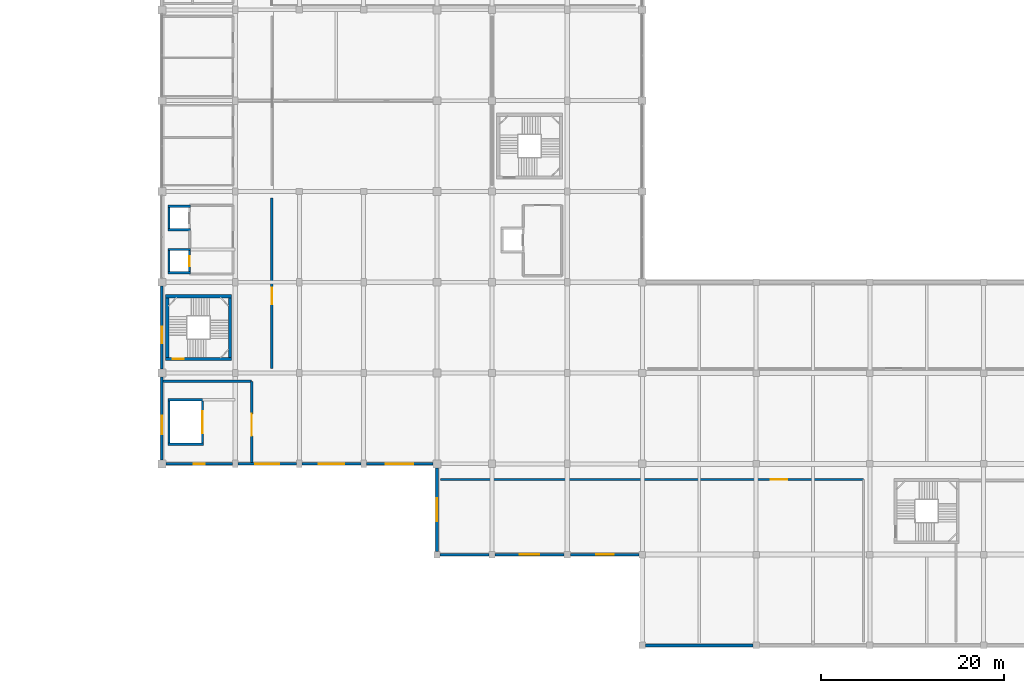
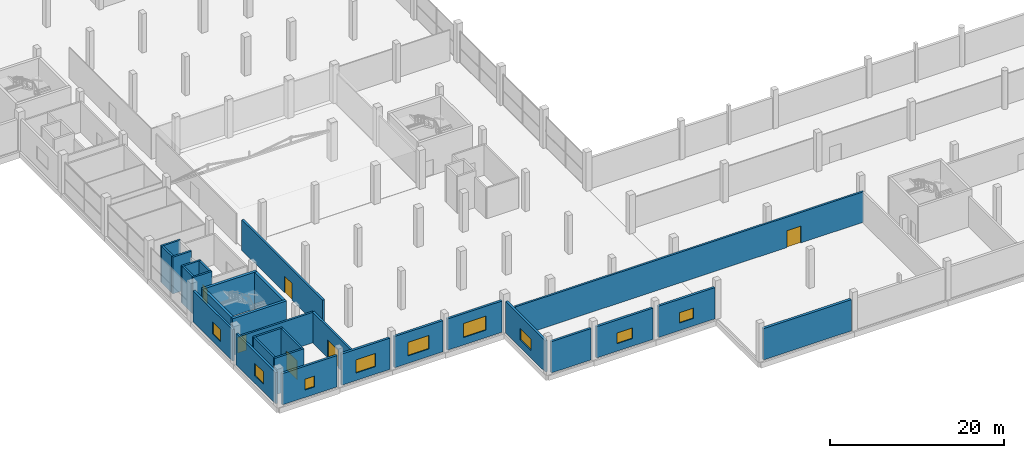
# One storey, part 43 of 72: 30 walls, 9 windows, 6 doors, 15 openings.
"""IFC4 building model written with IfcOpenShell, lengths in metres."""

from ifc_helpers import new_model, si_unit, direction, frame, frame_2d, origin, place, context, subcontext, project, spatial, rectangle, extrude, material, layer, layer_set, type_object, element, fill, save


model = new_model("IFC4")

# Units and contexts
model_context = context("Model", 3, precision=1e-05, world=origin(), true_north=direction((0.0, 1.0)))
body_context = subcontext(model_context, "Body", "Model", "MODEL_VIEW")
ifc_project = project(units=[si_unit("LENGTHUNIT", "METRE"), si_unit("AREAUNIT", "SQUARE_METRE"), si_unit("VOLUMEUNIT", "CUBIC_METRE"), si_unit("PLANEANGLEUNIT", "RADIAN"), si_unit("MASSUNIT", "GRAM", prefix="KILO")], contexts=[model_context])

# Site, building, storey
site_placement = place(None, origin())
site = spatial("IfcSite", under=ifc_project, at=site_placement, CompositionType="ELEMENT")
building_placement = place(site_placement, origin())
building = spatial("IfcBuilding", under=site, at=building_placement, Name="Sillaruma Civic Art Gallery", CompositionType="ELEMENT")
storey_placement = place(building_placement, frame((0.0, 0.0, 10.8798828125)))
storey = spatial("IfcBuildingStorey", under=building, at=storey_placement, Name="L02", CompositionType="ELEMENT", Elevation=10.8798828125)

# Wall, opening, door
ifc_material_1 = material(Name="Concrete H40 (40 MPa)", Category="concrete")
ifc_layer_1 = layer(ifc_material_1, 0.35009765625, Name="Concrete H40 (40 MPa)")
ifc_layer_set_1 = layer_set([ifc_layer_1], Name="Concrete H40 (40 MPa)")
wall_type_1 = type_object("IfcWallType", Name="WAL-CORE-350", PredefinedType="SHEAR", material=ifc_layer_set_1)
wall_1_placement = place(storey_placement, frame((62.409912109375, 31.235107421875, 0.0), z_axis=(0.0, 0.0, 1.0), x_axis=(1.0, 0.0, 0.0)))
wall_1 = element("IfcWall", 1, at=wall_1_placement, inside=storey, type_object=wall_type_1, Name="Stair Core Shear Wall W-CORE-350 (ST-03:L02:S)", PredefinedType="SHEAR", context=body_context, shape_type="SweptSolid", body=[
    extrude(rectangle(XDim=7.18017578125, YDim=0.35009765625, at=frame_2d((3.590087890625, 0.0))), origin(), (0.0, 0.0, 1.0), 5.16015625),
])
opening_1_placement = place(wall_1_placement, frame((0.77001953125, 0.0, 0.0)))
opening_1 = element("IfcOpeningElement", 2, at=opening_1_placement, cuts=wall_1, Name="Opening D-STAIR", PredefinedType="OPENING", context=body_context, shape_type="SweptSolid", body=[
    extrude(rectangle(XDim=1.199951171875, YDim=2.199951171875, at=frame_2d((0.60009765625, 1.10009765625))), frame((0.0, 0.18505859375, 0.0), z_axis=(0.0, -1.0, 0.0), x_axis=(1.0, 0.0, 0.0)), (0.0, 0.0, 1.0), 0.3701171875),
])
ifc_material_2 = material(Name="Galvanised Steel ASTM A653 Gr.50", Category="steel")
door_type_1 = type_object("IfcDoorType", Name="DOR-STAIR-120", OperationType="NOTDEFINED", PredefinedType="DOOR", material=ifc_material_2)
door_1_placement = place(opening_1_placement, origin())
door_1 = element("IfcDoor", 3, at=door_1_placement, inside=storey, type_object=door_type_1, Name="Protected Stair Fire Door (ST-03:L02)", OperationType="SINGLE_SWING_RIGHT", OverallHeight=2.199951171875, OverallWidth=1.199951171875, PredefinedType="DOOR", context=body_context, shape_type="SweptSolid", body=[
    extrude(rectangle(XDim=1.199951171875, YDim=2.199951171875, at=frame_2d((0.60009765625, 1.10009765625))), frame((0.0, 0.02490234375, 0.0), z_axis=(0.0, -1.0, 0.0), x_axis=(1.0, 0.0, 0.0)), (0.0, 0.0, 1.0), 0.050048828125),
])
fill(opening_1, door_1)

# Walls
wall_2_placement = place(storey_placement, frame((62.409912109375, 38.06494140625, 0.0), z_axis=(0.0, 0.0, 1.0), x_axis=(1.0, 0.0, 0.0)))
element("IfcWall", 4, at=wall_2_placement, inside=storey, type_object=wall_type_1, Name="Stair Core Shear Wall W-CORE-350 (ST-03:L02:N)", PredefinedType="SHEAR", context=body_context, shape_type="SweptSolid", body=[
    extrude(rectangle(XDim=7.18017578125, YDim=0.35009765625, at=frame_2d((3.590087890625, 0.0))), origin(), (0.0, 0.0, 1.0), 5.16015625),
])
for number, where, z_axis, x_axis, name in (
    (5, (62.5849609375, 31.409912109375, 0.0), (0.0, 0.0, 1.0), (0.0, 1.0, 0.0), "Stair Core Shear Wall W-CORE-350 (ST-03:L02:W)"),
    (6, (69.4150390625, 31.409912109375, 0.0), (0.0, 0.0, 1.0), (0.0, 1.0, 0.0), "Stair Core Shear Wall W-CORE-350 (ST-03:L02:E)"),
):
    element("IfcWall", number, at=place(storey_placement, frame(where, z_axis=z_axis, x_axis=x_axis)), inside=storey, type_object=wall_type_1, Name=name, PredefinedType="SHEAR", context=body_context, shape_type="SweptSolid", body=[
        extrude(rectangle(XDim=6.47998046875, YDim=0.35009765625, at=frame_2d((3.239990234375, 0.0))), origin(), (0.0, 0.0, 1.0), 5.16015625),
    ])

# Wall, opening, window
ifc_material_3 = material(Name="Concrete H35 (35 MPa)", Category="concrete")
ifc_layer_2 = layer(ifc_material_3, 0.159912109375, Name="Concrete backup", Category="concrete")
ifc_material_4 = material(Name="Mineral Wool Thermal Insulation", Category="insulation")
ifc_layer_3 = layer(ifc_material_4, 0.090087890625, Name="Thermal insulation", Category="insulation")
ifc_material_5 = material(Name="Anodised Zinc-Aluminium Alloy", Category="aluminium")
ifc_layer_4 = layer(ifc_material_5, 0.030029296875, Name="Rainscreen finish", Category="aluminium")
ifc_layer_set_2 = layer_set([ifc_layer_2, ifc_layer_3, ifc_layer_4], Name="W-EXT-280")
wall_type_2 = type_object("IfcWallType", Name="WAL-EXT-280", PredefinedType="SOLIDWALL", material=ifc_layer_set_2)
wall_3_placement = place(storey_placement, frame((62.0, 20.22509765625, 0.0), z_axis=(0.0, 0.0, 1.0), x_axis=(0.0, 1.0, 0.0)))
wall_3 = element("IfcWall", 7, at=wall_3_placement, inside=storey, type_object=wall_type_2, Name="Exterior Wall W-EXT-280 (EW-L02-SPW-1)", PredefinedType="SOLIDWALL", context=body_context, shape_type="SweptSolid", body=[
    extrude(rectangle(XDim=9.0498046875, YDim=0.280029296875, at=frame_2d((4.52490234375, 0.0))), origin(), (0.0, 0.0, 1.0), 4.380126953125),
])
opening_2_placement = place(wall_3_placement, frame((2.800048828125, 0.0, 1.050048828125)))
opening_2 = element("IfcOpeningElement", 8, at=opening_2_placement, cuts=wall_3, Name="Opening WN-03", PredefinedType="OPENING", context=body_context, shape_type="SweptSolid", body=[
    extrude(rectangle(XDim=2.0, YDim=1.75, at=frame_2d((1.0, 0.875))), frame((0.0, 0.14990234375, 0.0), z_axis=(0.0, -1.0, 0.0), x_axis=(1.0, 0.0, 0.0)), (0.0, 0.0, 1.0), 0.300048828125),
])
ifc_material_6 = material(Name="Thermally Broken Extruded Aluminium 6063-T6", Category="aluminium")
window_type_1 = type_object("IfcWindowType", Name="WIN-W03", PartitioningType="SINGLE_PANEL", PredefinedType="WINDOW", material=ifc_material_6)
window_1_placement = place(opening_2_placement, origin())
window_1 = element("IfcWindow", 9, at=window_1_placement, inside=storey, type_object=window_type_1, Name="Window WN-03 (EW-L02-SPW-1-1)", OverallHeight=1.75, OverallWidth=2.0, PartitioningType="SINGLE_PANEL", PredefinedType="WINDOW", context=body_context, shape_type="SweptSolid", body=[
    extrude(rectangle(XDim=2.0, YDim=1.75, at=frame_2d((1.0, 0.875))), frame((0.0, 0.030029296875, 0.0), z_axis=(0.0, -1.0, 0.0), x_axis=(1.0, 0.0, 0.0)), (0.0, 0.0, 1.0), 0.06005859375),
])
fill(opening_2, window_1)

wall_4_placement = place(storey_placement, frame((62.0, 30.125, 0.0), z_axis=(0.0, 0.0, 1.0), x_axis=(0.0, 1.0, 0.0)))
wall_4 = element("IfcWall", 10, at=wall_4_placement, inside=storey, type_object=wall_type_2, Name="Exterior Wall W-EXT-280 (EW-L02-SPW-2)", PredefinedType="SOLIDWALL", context=body_context, shape_type="SweptSolid", body=[
    extrude(rectangle(XDim=9.050048828125, YDim=0.280029296875, at=frame_2d((4.52490234375, 0.0))), origin(), (0.0, 0.0, 1.0), 4.380126953125),
])
opening_3_placement = place(wall_4_placement, frame((2.800048828125, 0.0, 1.050048828125)))
opening_3 = element("IfcOpeningElement", 11, at=opening_3_placement, cuts=wall_4, Name="Opening WN-04", PredefinedType="OPENING", context=body_context, shape_type="SweptSolid", body=[
    extrude(rectangle(XDim=1.800048828125, YDim=1.699951171875, at=frame_2d((0.89990234375, 0.85009765625))), frame((0.0, 0.14990234375, 0.0), z_axis=(0.0, -1.0, 0.0), x_axis=(1.0, 0.0, 0.0)), (0.0, 0.0, 1.0), 0.300048828125),
])
window_type_2 = type_object("IfcWindowType", Name="WIN-W04", PartitioningType="SINGLE_PANEL", PredefinedType="WINDOW", material=ifc_material_6)
window_2_placement = place(opening_3_placement, origin())
window_2 = element("IfcWindow", 12, at=window_2_placement, inside=storey, type_object=window_type_2, Name="Window WN-04 (EW-L02-SPW-2-1)", OverallHeight=1.699951171875, OverallWidth=1.800048828125, PartitioningType="SINGLE_PANEL", PredefinedType="WINDOW", context=body_context, shape_type="SweptSolid", body=[
    extrude(rectangle(XDim=1.800048828125, YDim=1.699951171875, at=frame_2d((0.89990234375, 0.85009765625))), frame((0.0, 0.030029296875, 0.0), z_axis=(0.0, -1.0, 0.0), x_axis=(1.0, 0.0, 0.0)), (0.0, 0.0, 1.0), 0.06005859375),
])
fill(opening_3, window_2)

ifc_material_7 = material(Name="Precast Concrete H35 (35 MPa)", Category="concrete")
ifc_layer_5 = layer(ifc_material_7, 0.179931640625, Name="Precast backup", Category="concrete")
ifc_layer_6 = layer(ifc_material_4, 0.090087890625, Name="Thermal insulation", Category="insulation")
ifc_material_8 = material(Name="Comanche Granitic Ashlar Stone", Category="masonry")
ifc_layer_7 = layer(ifc_material_8, 0.030029296875, Name="Rainscreen cladding", Category="masonry")
ifc_layer_set_3 = layer_set([ifc_layer_5, ifc_layer_6, ifc_layer_7], Name="W-EXT-300")
wall_type_3 = type_object("IfcWallType", Name="WAL-EXT-300", PredefinedType="SOLIDWALL", material=ifc_layer_set_3)
wall_5_placement = place(storey_placement, frame((62.425048828125, 19.800048828125, 0.0), z_axis=(0.0, 0.0, 1.0), x_axis=(1.0, 0.0, 0.0)))
wall_5 = element("IfcWall", 13, at=wall_5_placement, inside=storey, type_object=wall_type_3, Name="Exterior Wall W-EXT-300 (EW-L02-PSW-FG)", PredefinedType="SOLIDWALL", context=body_context, shape_type="SweptSolid", body=[
    extrude(rectangle(XDim=7.27490234375, YDim=0.300048828125, at=frame_2d((3.637451171875, 0.0))), origin(), (0.0, 0.0, 1.0), 4.380126953125),
])
opening_4_placement = place(wall_5_placement, frame((3.0380859375, 0.0, 1.050048828125)))
opening_4 = element("IfcOpeningElement", 14, at=opening_4_placement, cuts=wall_5, Name="Opening WN-07", PredefinedType="OPENING", context=body_context, shape_type="SweptSolid", body=[
    extrude(rectangle(XDim=1.199951171875, YDim=1.5, at=frame_2d((0.60009765625, 0.75))), frame((0.0, 0.159912109375, 0.0), z_axis=(0.0, -1.0, 0.0), x_axis=(1.0, 0.0, 0.0)), (0.0, 0.0, 1.0), 0.320068359375),
])
window_type_3 = type_object("IfcWindowType", Name="WIN-W07", PartitioningType="SINGLE_PANEL", PredefinedType="WINDOW", material=ifc_material_6)
window_3_placement = place(opening_4_placement, origin())
window_3 = element("IfcWindow", 15, at=window_3_placement, inside=storey, type_object=window_type_3, Name="Window WN-07 (EW-L02-PSW-FG-1)", OverallHeight=1.5, OverallWidth=1.199951171875, PartitioningType="SINGLE_PANEL", PredefinedType="WINDOW", context=body_context, shape_type="SweptSolid", body=[
    extrude(rectangle(XDim=1.199951171875, YDim=1.5, at=frame_2d((0.60009765625, 0.75))), frame((0.0, 0.030029296875, 0.0), z_axis=(0.0, -1.0, 0.0), x_axis=(1.0, 0.0, 0.0)), (0.0, 0.0, 1.0), 0.06005859375),
])
fill(opening_4, window_3)

wall_6_placement = place(storey_placement, frame((70.300048828125, 19.800048828125, 0.0), z_axis=(0.0, 0.0, 1.0), x_axis=(1.0, 0.0, 0.0)))
wall_6 = element("IfcWall", 16, at=wall_6_placement, inside=storey, type_object=wall_type_3, Name="Exterior Wall W-EXT-300 (EW-L02-PSW-GH)", PredefinedType="SOLIDWALL", context=body_context, shape_type="SweptSolid", body=[
    extrude(rectangle(XDim=6.39990234375, YDim=0.300048828125, at=frame_2d((3.199951171875, 0.0))), origin(), (0.0, 0.0, 1.0), 4.380126953125),
])
opening_5_placement = place(wall_6_placement, frame((1.89990234375, 0.0, 1.050048828125)))
opening_5 = element("IfcOpeningElement", 17, at=opening_5_placement, cuts=wall_6, Name="Opening WN-08", PredefinedType="OPENING", context=body_context, shape_type="SweptSolid", body=[
    extrude(rectangle(XDim=2.60009765625, YDim=1.85009765625, at=frame_2d((1.300048828125, 0.925048828125))), frame((0.0, 0.159912109375, 0.0), z_axis=(0.0, -1.0, 0.0), x_axis=(1.0, 0.0, 0.0)), (0.0, 0.0, 1.0), 0.320068359375),
])
window_type_4 = type_object("IfcWindowType", Name="WIN-W08", PartitioningType="SINGLE_PANEL", PredefinedType="WINDOW", material=ifc_material_6)
window_4_placement = place(opening_5_placement, origin())
window_4 = element("IfcWindow", 18, at=window_4_placement, inside=storey, type_object=window_type_4, Name="Window WN-08 (EW-L02-PSW-GH-1)", OverallHeight=1.85009765625, OverallWidth=2.60009765625, PartitioningType="SINGLE_PANEL", PredefinedType="WINDOW", context=body_context, shape_type="SweptSolid", body=[
    extrude(rectangle(XDim=2.60009765625, YDim=1.85009765625, at=frame_2d((1.300048828125, 0.925048828125))), frame((0.0, 0.030029296875, 0.0), z_axis=(0.0, -1.0, 0.0), x_axis=(1.0, 0.0, 0.0)), (0.0, 0.0, 1.0), 0.06005859375),
])
fill(opening_5, window_4)

wall_7_placement = place(storey_placement, frame((77.300048828125, 19.800048828125, 0.0), z_axis=(0.0, 0.0, 1.0), x_axis=(1.0, 0.0, 0.0)))
wall_7 = element("IfcWall", 19, at=wall_7_placement, inside=storey, type_object=wall_type_3, Name="Exterior Wall W-EXT-300 (EW-L02-PSW-HJ)", PredefinedType="SOLIDWALL", context=body_context, shape_type="SweptSolid", body=[
    extrude(rectangle(XDim=6.39990234375, YDim=0.300048828125, at=frame_2d((3.199951171875, 0.0))), origin(), (0.0, 0.0, 1.0), 4.380126953125),
])
opening_6_placement = place(wall_7_placement, frame((1.800048828125, 0.0, 1.050048828125)))
opening_6 = element("IfcOpeningElement", 20, at=opening_6_placement, cuts=wall_7, Name="Opening WN-09", PredefinedType="OPENING", context=body_context, shape_type="SweptSolid", body=[
    extrude(rectangle(XDim=2.800048828125, YDim=1.89990234375, at=frame_2d((1.39990234375, 0.949951171875))), frame((0.0, 0.159912109375, 0.0), z_axis=(0.0, -1.0, 0.0), x_axis=(1.0, 0.0, 0.0)), (0.0, 0.0, 1.0), 0.320068359375),
])
window_type_5 = type_object("IfcWindowType", Name="WIN-W09", PartitioningType="SINGLE_PANEL", PredefinedType="WINDOW", material=ifc_material_6)
window_5_placement = place(opening_6_placement, origin())
window_5 = element("IfcWindow", 21, at=window_5_placement, inside=storey, type_object=window_type_5, Name="Window WN-09 (EW-L02-PSW-HJ-1)", OverallHeight=1.89990234375, OverallWidth=2.800048828125, PartitioningType="SINGLE_PANEL", PredefinedType="WINDOW", context=body_context, shape_type="SweptSolid", body=[
    extrude(rectangle(XDim=2.800048828125, YDim=1.89990234375, at=frame_2d((1.39990234375, 0.949951171875))), frame((0.0, 0.030029296875, 0.0), z_axis=(0.0, -1.0, 0.0), x_axis=(1.0, 0.0, 0.0)), (0.0, 0.0, 1.0), 0.06005859375),
])
fill(opening_6, window_5)

wall_8_placement = place(storey_placement, frame((84.300048828125, 19.800048828125, 0.0), z_axis=(0.0, 0.0, 1.0), x_axis=(1.0, 0.0, 0.0)))
wall_8 = element("IfcWall", 22, at=wall_8_placement, inside=storey, type_object=wall_type_3, Name="Exterior Wall W-EXT-300 (EW-L02-PSW-JK)", PredefinedType="SOLIDWALL", context=body_context, shape_type="SweptSolid", body=[
    extrude(rectangle(XDim=7.27490234375, YDim=0.300048828125, at=frame_2d((3.637451171875, 0.0))), origin(), (0.0, 0.0, 1.0), 4.380126953125),
])
opening_7_placement = place(wall_8_placement, frame((2.137939453125, 0.0, 1.050048828125)))
opening_7 = element("IfcOpeningElement", 23, at=opening_7_placement, cuts=wall_8, Name="Opening WN-10", PredefinedType="OPENING", context=body_context, shape_type="SweptSolid", body=[
    extrude(rectangle(XDim=3.0, YDim=1.949951171875, at=frame_2d((1.5, 0.97509765625))), frame((0.0, 0.159912109375, 0.0), z_axis=(0.0, -1.0, 0.0), x_axis=(1.0, 0.0, 0.0)), (0.0, 0.0, 1.0), 0.320068359375),
])
window_type_6 = type_object("IfcWindowType", Name="WIN-W10", PartitioningType="SINGLE_PANEL", PredefinedType="WINDOW", material=ifc_material_6)
window_6_placement = place(opening_7_placement, origin())
window_6 = element("IfcWindow", 24, at=window_6_placement, inside=storey, type_object=window_type_6, Name="Window WN-10 (EW-L02-PSW-JK-1)", OverallHeight=1.949951171875, OverallWidth=3.0, PartitioningType="SINGLE_PANEL", PredefinedType="WINDOW", context=body_context, shape_type="SweptSolid", body=[
    extrude(rectangle(XDim=3.0, YDim=1.949951171875, at=frame_2d((1.5, 0.97509765625))), frame((0.0, 0.030029296875, 0.0), z_axis=(0.0, -1.0, 0.0), x_axis=(1.0, 0.0, 0.0)), (0.0, 0.0, 1.0), 0.06005859375),
])
fill(opening_7, window_6)

wall_9_placement = place(storey_placement, frame((92.0, 10.25, 0.0), z_axis=(0.0, 0.0, 1.0), x_axis=(0.0, 1.0, 0.0)))
wall_9 = element("IfcWall", 25, at=wall_9_placement, inside=storey, type_object=wall_type_3, Name="Exterior Wall W-EXT-300 (EW-L02-PSW-E)", PredefinedType="SOLIDWALL", context=body_context, shape_type="SweptSolid", body=[
    extrude(rectangle(XDim=9.125, YDim=0.300048828125, at=frame_2d((4.5625, 0.0))), origin(), (0.0, 0.0, 1.0), 4.380126953125),
])
opening_8_placement = place(wall_9_placement, frame((3.31201171875, 0.0, 1.050048828125)))
opening_8 = element("IfcOpeningElement", 26, at=opening_8_placement, cuts=wall_9, Name="Opening WN-11", PredefinedType="OPENING", context=body_context, shape_type="SweptSolid", body=[
    extrude(rectangle(XDim=2.5, YDim=1.60009765625, at=frame_2d((1.25, 0.800048828125))), frame((0.0, 0.159912109375, 0.0), z_axis=(0.0, -1.0, 0.0), x_axis=(1.0, 0.0, 0.0)), (0.0, 0.0, 1.0), 0.320068359375),
])
window_type_7 = type_object("IfcWindowType", Name="WIN-W11", PartitioningType="SINGLE_PANEL", PredefinedType="WINDOW", material=ifc_material_6)
window_7_placement = place(opening_8_placement, origin())
window_7 = element("IfcWindow", 27, at=window_7_placement, inside=storey, type_object=window_type_7, Name="Window WN-11 (EW-L02-PSW-E-1)", OverallHeight=1.60009765625, OverallWidth=2.5, PartitioningType="SINGLE_PANEL", PredefinedType="WINDOW", context=body_context, shape_type="SweptSolid", body=[
    extrude(rectangle(XDim=2.5, YDim=1.60009765625, at=frame_2d((1.25, 0.800048828125))), frame((0.0, 0.030029296875, 0.0), z_axis=(0.0, -1.0, 0.0), x_axis=(1.0, 0.0, 0.0)), (0.0, 0.0, 1.0), 0.06005859375),
])
fill(opening_8, window_7)

# Wall
wall_10_placement = place(storey_placement, frame((92.35009765625, 9.89990234375, 0.0), z_axis=(0.0, 0.0, 1.0), x_axis=(1.0, 0.0, 0.0)))
element("IfcWall", 28, at=wall_10_placement, inside=storey, type_object=wall_type_3, Name="Exterior Wall W-EXT-300 (EW-L02-PSE-KL)", PredefinedType="SOLIDWALL", context=body_context, shape_type="SweptSolid", body=[
    extrude(rectangle(XDim=5.2998046875, YDim=0.300048828125, at=frame_2d((2.64990234375, 0.0))), origin(), (0.0, 0.0, 1.0), 4.380126953125),
])

# Wall, opening, window
wall_11_placement = place(storey_placement, frame((98.35009765625, 9.89990234375, 0.0), z_axis=(0.0, 0.0, 1.0), x_axis=(1.0, 0.0, 0.0)))
wall_11 = element("IfcWall", 29, at=wall_11_placement, inside=storey, type_object=wall_type_3, Name="Exterior Wall W-EXT-300 (EW-L02-PSE-LM)", PredefinedType="SOLIDWALL", context=body_context, shape_type="SweptSolid", body=[
    extrude(rectangle(XDim=7.5, YDim=0.300048828125, at=frame_2d((3.75, 0.0))), origin(), (0.0, 0.0, 1.0), 4.380126953125),
])
opening_9_placement = place(wall_11_placement, frame((2.699951171875, 0.0, 1.050048828125)))
opening_9 = element("IfcOpeningElement", 30, at=opening_9_placement, cuts=wall_11, Name="Opening WN-13", PredefinedType="OPENING", context=body_context, shape_type="SweptSolid", body=[
    extrude(rectangle(XDim=2.10009765625, YDim=1.5, at=frame_2d((1.050048828125, 0.75))), frame((0.0, 0.159912109375, 0.0), z_axis=(0.0, -1.0, 0.0), x_axis=(1.0, 0.0, 0.0)), (0.0, 0.0, 1.0), 0.320068359375),
])
window_type_8 = type_object("IfcWindowType", Name="WIN-W13", PartitioningType="SINGLE_PANEL", PredefinedType="WINDOW", material=ifc_material_6)
window_8_placement = place(opening_9_placement, origin())
window_8 = element("IfcWindow", 31, at=window_8_placement, inside=storey, type_object=window_type_8, Name="Window WN-13 (EW-L02-PSE-LM-1)", OverallHeight=1.5, OverallWidth=2.10009765625, PartitioningType="SINGLE_PANEL", PredefinedType="WINDOW", context=body_context, shape_type="SweptSolid", body=[
    extrude(rectangle(XDim=2.10009765625, YDim=1.5, at=frame_2d((1.050048828125, 0.75))), frame((0.0, 0.030029296875, 0.0), z_axis=(0.0, -1.0, 0.0), x_axis=(1.0, 0.0, 0.0)), (0.0, 0.0, 1.0), 0.06005859375),
])
fill(opening_9, window_8)

wall_12_placement = place(storey_placement, frame((106.550048828125, 9.89990234375, 0.0), z_axis=(0.0, 0.0, 1.0), x_axis=(1.0, 0.0, 0.0)))
wall_12 = element("IfcWall", 32, at=wall_12_placement, inside=storey, type_object=wall_type_3, Name="Exterior Wall W-EXT-300 (EW-L02-PSE-MN)", PredefinedType="SOLIDWALL", context=body_context, shape_type="SweptSolid", body=[
    extrude(rectangle(XDim=7.5, YDim=0.300048828125, at=frame_2d((3.75, 0.0))), origin(), (0.0, 0.0, 1.0), 4.380126953125),
])
opening_10_placement = place(wall_12_placement, frame((2.800048828125, 0.0, 1.050048828125)))
opening_10 = element("IfcOpeningElement", 33, at=opening_10_placement, cuts=wall_12, Name="Opening WN-14", PredefinedType="OPENING", context=body_context, shape_type="SweptSolid", body=[
    extrude(rectangle(XDim=1.89990234375, YDim=1.449951171875, at=frame_2d((0.949951171875, 0.72509765625))), frame((0.0, 0.159912109375, 0.0), z_axis=(0.0, -1.0, 0.0), x_axis=(1.0, 0.0, 0.0)), (0.0, 0.0, 1.0), 0.320068359375),
])
window_type_9 = type_object("IfcWindowType", Name="WIN-W14", PartitioningType="SINGLE_PANEL", PredefinedType="WINDOW", material=ifc_material_6)
window_9_placement = place(opening_10_placement, origin())
window_9 = element("IfcWindow", 34, at=window_9_placement, inside=storey, type_object=window_type_9, Name="Window WN-14 (EW-L02-PSE-MN-1)", OverallHeight=1.449951171875, OverallWidth=1.89990234375, PartitioningType="SINGLE_PANEL", PredefinedType="WINDOW", context=body_context, shape_type="SweptSolid", body=[
    extrude(rectangle(XDim=1.89990234375, YDim=1.449951171875, at=frame_2d((0.949951171875, 0.72509765625))), frame((0.0, 0.030029296875, 0.0), z_axis=(0.0, -1.0, 0.0), x_axis=(1.0, 0.0, 0.0)), (0.0, 0.0, 1.0), 0.06005859375),
])
fill(opening_10, window_9)

# Walls
ifc_layer_8 = layer(ifc_material_1, 0.239990234375, Name="Boundary concrete", Category="concrete")
ifc_layer_9 = layer(ifc_material_4, 0.10009765625, Name="Acoustic-thermal liner", Category="insulation")
ifc_layer_set_4 = layer_set([ifc_layer_8, ifc_layer_9], Name="W-EXT-340")
wall_type_4 = type_object("IfcWallType", Name="WAL-EXT-340", PredefinedType="SOLIDWALL", material=ifc_layer_set_4)
wall_13_placement = place(storey_placement, frame((114.75, 0.0, 0.0), z_axis=(0.0, 0.0, 1.0), x_axis=(1.0, 0.0, 0.0)))
element("IfcWall", 35, at=wall_13_placement, inside=storey, type_object=wall_type_4, Name="Exterior Wall W-EXT-340 (EW-L02-EPS-1)", PredefinedType="SOLIDWALL", context=body_context, shape_type="SweptSolid", body=[
    extrude(rectangle(XDim=11.699951171875, YDim=0.340087890625, at=frame_2d((5.85009765625, 0.0))), origin(), (0.0, 0.0, 1.0), 4.380126953125),
])
ifc_layer_10 = layer(ifc_material_1, 0.25, Name="Concrete H40 (40 MPa)")
ifc_layer_set_5 = layer_set([ifc_layer_10], Name="Concrete H40 (40 MPa)")
wall_type_5 = type_object("IfcWallType", Name="WAL-SHAFT-250", PredefinedType="SOLIDWALL", material=ifc_layer_set_5)
for number, where, z_axis, x_axis, name in (
    (36, (62.64990234375, 40.625, 0.0), (0.0, 0.0, 1.0), (1.0, 0.0, 0.0), "Lift Shaft Wall W-SHAFT-250 (PL-01:L02:S)"),
    (37, (62.64990234375, 43.175048828125, 0.0), (0.0, 0.0, 1.0), (1.0, 0.0, 0.0), "Lift Shaft Wall W-SHAFT-250 (PL-01:L02:N)"),
):
    element("IfcWall", number, at=place(storey_placement, frame(where, z_axis=z_axis, x_axis=x_axis)), inside=storey, type_object=wall_type_5, Name=name, PredefinedType="SOLIDWALL", context=body_context, shape_type="SweptSolid", body=[
        extrude(rectangle(XDim=2.5, YDim=0.25, at=frame_2d((1.25, 0.0))), origin(), (0.0, 0.0, 1.0), 5.14013671875),
    ])
wall_14_placement = place(storey_placement, frame((62.77490234375, 40.75, 0.0), z_axis=(0.0, 0.0, 1.0), x_axis=(0.0, 1.0, 0.0)))
element("IfcWall", 38, at=wall_14_placement, inside=storey, type_object=wall_type_5, Name="Lift Shaft Wall W-SHAFT-250 (PL-01:L02:W)", PredefinedType="SOLIDWALL", context=body_context, shape_type="SweptSolid", body=[
    extrude(rectangle(XDim=2.300048828125, YDim=0.25, at=frame_2d((1.14990234375, 0.0))), origin(), (0.0, 0.0, 1.0), 5.14013671875),
])

# Wall, opening, door
wall_15_placement = place(storey_placement, frame((65.02490234375, 40.75, 0.0), z_axis=(0.0, 0.0, 1.0), x_axis=(0.0, 1.0, 0.0)))
wall_15 = element("IfcWall", 39, at=wall_15_placement, inside=storey, type_object=wall_type_5, Name="Lift Shaft Wall W-SHAFT-250 (PL-01:L02:E)", PredefinedType="SOLIDWALL", context=body_context, shape_type="SweptSolid", body=[
    extrude(rectangle(XDim=2.300048828125, YDim=0.25, at=frame_2d((1.14990234375, 0.0))), origin(), (0.0, 0.0, 1.0), 5.14013671875),
])
opening_11_placement = place(wall_15_placement, frame((0.60009765625, 0.0, 0.0)))
opening_11 = element("IfcOpeningElement", 40, at=opening_11_placement, cuts=wall_15, Name="Opening LD-01", PredefinedType="OPENING", context=body_context, shape_type="SweptSolid", body=[
    extrude(rectangle(XDim=1.10009765625, YDim=2.199951171875, at=frame_2d((0.550048828125, 1.10009765625))), frame((0.0, 0.135009765625, 0.0), z_axis=(0.0, -1.0, 0.0), x_axis=(1.0, 0.0, 0.0)), (0.0, 0.0, 1.0), 0.27001953125),
])
door_type_2 = type_object("IfcDoorType", Name="DOR-LD-01", OperationType="NOTDEFINED", PredefinedType="DOOR", material=ifc_material_2)
door_2_placement = place(opening_11_placement, origin())
door_2 = element("IfcDoor", 41, at=door_2_placement, inside=storey, type_object=door_type_2, Name="Lift Sliding Landing Door LD-01 (PL-01:L02)", OperationType="DOUBLE_DOOR_SLIDING", OverallHeight=2.199951171875, OverallWidth=1.10009765625, PredefinedType="DOOR", context=body_context, shape_type="SweptSolid", body=[
    extrude(rectangle(XDim=1.10009765625, YDim=2.199951171875, at=frame_2d((0.550048828125, 1.10009765625))), frame((0.0, 0.02490234375, 0.0), z_axis=(0.0, -1.0, 0.0), x_axis=(1.0, 0.0, 0.0)), (0.0, 0.0, 1.0), 0.050048828125),
])
fill(opening_11, door_2)

# Walls
for number, where, z_axis, x_axis, name in (
    (42, (62.64990234375, 45.324951171875, 0.0), (0.0, 0.0, 1.0), (1.0, 0.0, 0.0), "Lift Shaft Wall W-SHAFT-250 (PL-02:L02:S)"),
    (43, (62.64990234375, 47.875, 0.0), (0.0, 0.0, 1.0), (1.0, 0.0, 0.0), "Lift Shaft Wall W-SHAFT-250 (PL-02:L02:N)"),
):
    element("IfcWall", number, at=place(storey_placement, frame(where, z_axis=z_axis, x_axis=x_axis)), inside=storey, type_object=wall_type_5, Name=name, PredefinedType="SOLIDWALL", context=body_context, shape_type="SweptSolid", body=[
        extrude(rectangle(XDim=2.5, YDim=0.25, at=frame_2d((1.25, 0.0))), origin(), (0.0, 0.0, 1.0), 5.14013671875),
    ])
wall_16_placement = place(storey_placement, frame((62.77490234375, 45.449951171875, 0.0), z_axis=(0.0, 0.0, 1.0), x_axis=(0.0, 1.0, 0.0)))
element("IfcWall", 44, at=wall_16_placement, inside=storey, type_object=wall_type_5, Name="Lift Shaft Wall W-SHAFT-250 (PL-02:L02:W)", PredefinedType="SOLIDWALL", context=body_context, shape_type="SweptSolid", body=[
    extrude(rectangle(XDim=2.300048828125, YDim=0.25, at=frame_2d((1.14990234375, 0.0))), origin(), (0.0, 0.0, 1.0), 5.14013671875),
])
for number, where, z_axis, x_axis, name in (
    (45, (62.64990234375, 21.925048828125, 0.0), (0.0, 0.0, 1.0), (1.0, 0.0, 0.0), "Lift Shaft Wall W-SHAFT-250 (GL-01:L02:S)"),
    (46, (62.64990234375, 26.77490234375, 0.0), (0.0, 0.0, 1.0), (1.0, 0.0, 0.0), "Lift Shaft Wall W-SHAFT-250 (GL-01:L02:N)"),
):
    element("IfcWall", number, at=place(storey_placement, frame(where, z_axis=z_axis, x_axis=x_axis)), inside=storey, type_object=wall_type_5, Name=name, PredefinedType="SOLIDWALL", context=body_context, shape_type="SweptSolid", body=[
        extrude(rectangle(XDim=3.900146484375, YDim=0.25, at=frame_2d((1.9501953125, 0.0))), origin(), (0.0, 0.0, 1.0), 5.14013671875),
    ])
wall_17_placement = place(storey_placement, frame((62.77490234375, 22.050048828125, 0.0), z_axis=(0.0, 0.0, 1.0), x_axis=(0.0, 1.0, 0.0)))
element("IfcWall", 47, at=wall_17_placement, inside=storey, type_object=wall_type_5, Name="Lift Shaft Wall W-SHAFT-250 (GL-01:L02:W)", PredefinedType="SOLIDWALL", context=body_context, shape_type="SweptSolid", body=[
    extrude(rectangle(XDim=4.599853515625, YDim=0.25, at=frame_2d((2.2998046875, 0.0))), origin(), (0.0, 0.0, 1.0), 5.14013671875),
])

# Wall, opening, door
wall_18_placement = place(storey_placement, frame((66.425048828125, 22.050048828125, 0.0), z_axis=(0.0, 0.0, 1.0), x_axis=(0.0, 1.0, 0.0)))
wall_18 = element("IfcWall", 48, at=wall_18_placement, inside=storey, type_object=wall_type_5, Name="Lift Shaft Wall W-SHAFT-250 (GL-01:L02:E)", PredefinedType="SOLIDWALL", context=body_context, shape_type="SweptSolid", body=[
    extrude(rectangle(XDim=4.599853515625, YDim=0.25, at=frame_2d((2.2998046875, 0.0))), origin(), (0.0, 0.0, 1.0), 5.14013671875),
])
opening_12_placement = place(wall_18_placement, frame((1.10009765625, 0.0, 0.0)))
opening_12 = element("IfcOpeningElement", 49, at=opening_12_placement, cuts=wall_18, Name="Opening LD-03", PredefinedType="OPENING", context=body_context, shape_type="SweptSolid", body=[
    extrude(rectangle(XDim=2.39990234375, YDim=2.64990234375, at=frame_2d((1.199951171875, 1.324951171875))), frame((0.0, 0.135009765625, 0.0), z_axis=(0.0, -1.0, 0.0), x_axis=(1.0, 0.0, 0.0)), (0.0, 0.0, 1.0), 0.27001953125),
])
door_type_3 = type_object("IfcDoorType", Name="DOR-LD-03", OperationType="NOTDEFINED", PredefinedType="DOOR", material=ifc_material_2)
door_3_placement = place(opening_12_placement, origin())
door_3 = element("IfcDoor", 50, at=door_3_placement, inside=storey, type_object=door_type_3, Name="Lift Sliding Landing Door LD-03 (GL-01:L02)", OperationType="DOUBLE_DOOR_SLIDING", OverallHeight=2.64990234375, OverallWidth=2.39990234375, PredefinedType="DOOR", context=body_context, shape_type="SweptSolid", body=[
    extrude(rectangle(XDim=2.39990234375, YDim=2.64990234375, at=frame_2d((1.199951171875, 1.324951171875))), frame((0.0, 0.02490234375, 0.0), z_axis=(0.0, -1.0, 0.0), x_axis=(1.0, 0.0, 0.0)), (0.0, 0.0, 1.0), 0.050048828125),
])
fill(opening_12, door_3)

# Wall
ifc_material_9 = material(Name="Concrete Masonry Unit Grade M15", Category="masonry")
ifc_layer_11 = layer(ifc_material_9, 0.2548828125, Name="Concrete Masonry Unit Grade M15")
ifc_layer_set_6 = layer_set([ifc_layer_11], Name="Concrete Masonry Unit Grade M15")
wall_type_6 = type_object("IfcWallType", Name="WAL-STORE-250", PredefinedType="SOLIDWALL", material=ifc_layer_set_6)
wall_19_placement = place(storey_placement, frame((62.14990234375, 28.800048828125, 0.0), z_axis=(0.0, 0.0, 1.0), x_axis=(1.0, 0.0, 0.0)))
element("IfcWall", 51, at=wall_19_placement, inside=storey, type_object=wall_type_6, Name="Interior Wall W-STORE-250 (L02-AIR)", PredefinedType="SOLIDWALL", context=body_context, shape_type="SweptSolid", body=[
    extrude(rectangle(XDim=9.650146484375, YDim=0.2548828125, at=frame_2d((4.8251953125, 0.0))), origin(), (0.0, 0.0, 1.0), 4.280029296875),
])

# Wall, opening, door
wall_20_placement = place(storey_placement, frame((71.800048828125, 19.949951171875, 0.0), z_axis=(0.0, 0.0, 1.0), x_axis=(0.0, 1.0, 0.0)))
wall_20 = element("IfcWall", 52, at=wall_20_placement, inside=storey, type_object=wall_type_6, Name="Interior Wall W-STORE-250 (L02-AIR)", PredefinedType="SOLIDWALL", context=body_context, shape_type="SweptSolid", body=[
    extrude(rectangle(XDim=8.85009765625, YDim=0.2548828125, at=frame_2d((4.425048828125, 0.0))), origin(), (0.0, 0.0, 1.0), 4.280029296875),
])
opening_13_placement = place(wall_20_placement, frame((2.89990234375, 0.0, 0.0)))
opening_13 = element("IfcOpeningElement", 53, at=opening_13_placement, cuts=wall_20, Name="Opening D-STR24", PredefinedType="OPENING", context=body_context, shape_type="SweptSolid", body=[
    extrude(rectangle(XDim=2.39990234375, YDim=2.5, at=frame_2d((1.199951171875, 1.25))), frame((0.0, 0.137451171875, 0.0), z_axis=(0.0, -1.0, 0.0), x_axis=(1.0, 0.0, 0.0)), (0.0, 0.0, 1.0), 0.27490234375),
])
door_type_4 = type_object("IfcDoorType", Name="DOR-STORE-240", OperationType="NOTDEFINED", PredefinedType="DOOR", material=ifc_material_2)
door_4_placement = place(opening_13_placement, origin())
door_4 = element("IfcDoor", 54, at=door_4_placement, inside=storey, type_object=door_type_4, Name="Crate Airlock Door (D-STR24)", OperationType="DOUBLE_DOOR_SINGLE_SWING", OverallHeight=2.5, OverallWidth=2.39990234375, PredefinedType="DOOR", context=body_context, shape_type="SweptSolid", body=[
    extrude(rectangle(XDim=2.39990234375, YDim=2.5, at=frame_2d((1.199951171875, 1.25))), frame((0.0, 0.02490234375, 0.0), z_axis=(0.0, -1.0, 0.0), x_axis=(1.0, 0.0, 0.0)), (0.0, 0.0, 1.0), 0.050048828125),
])
fill(opening_13, door_4)

wall_21_placement = place(storey_placement, frame((74.0, 30.199951171875, 0.0), z_axis=(0.0, 0.0, 1.0), x_axis=(0.0, 1.0, 0.0)))
wall_21 = element("IfcWall", 55, at=wall_21_placement, inside=storey, type_object=wall_type_6, Name="Interior Wall W-STORE-250 (L02-STR20)", PredefinedType="SOLIDWALL", context=body_context, shape_type="SweptSolid", body=[
    extrude(rectangle(XDim=18.60009765625, YDim=0.2548828125, at=frame_2d((9.300048828125, 0.0))), origin(), (0.0, 0.0, 1.0), 4.280029296875),
])
opening_14_placement = place(wall_21_placement, frame((7.0, 0.0, 0.0)))
opening_14 = element("IfcOpeningElement", 56, at=opening_14_placement, cuts=wall_21, Name="Opening D-STR18", PredefinedType="OPENING", context=body_context, shape_type="SweptSolid", body=[
    extrude(rectangle(XDim=1.800048828125, YDim=2.35009765625, at=frame_2d((0.89990234375, 1.175048828125))), frame((0.0, 0.137451171875, 0.0), z_axis=(0.0, -1.0, 0.0), x_axis=(1.0, 0.0, 0.0)), (0.0, 0.0, 1.0), 0.27490234375),
])
door_type_5 = type_object("IfcDoorType", Name="DOR-STORE-180", OperationType="NOTDEFINED", PredefinedType="DOOR", material=ifc_material_2)
door_5_placement = place(opening_14_placement, origin())
door_5 = element("IfcDoor", 57, at=door_5_placement, inside=storey, type_object=door_type_5, Name="Central Study Art Store Door (D-STR18)", OperationType="DOUBLE_DOOR_SINGLE_SWING", OverallHeight=2.35009765625, OverallWidth=1.800048828125, PredefinedType="DOOR", context=body_context, shape_type="SweptSolid", body=[
    extrude(rectangle(XDim=1.800048828125, YDim=2.35009765625, at=frame_2d((0.89990234375, 1.175048828125))), frame((0.0, 0.02490234375, 0.0), z_axis=(0.0, -1.0, 0.0), x_axis=(1.0, 0.0, 0.0)), (0.0, 0.0, 1.0), 0.050048828125),
])
fill(opening_14, door_5)

wall_22_placement = place(storey_placement, frame((92.39990234375, 18.10009765625, 0.0), z_axis=(0.0, 0.0, 1.0), x_axis=(1.0, 0.0, 0.0)))
wall_22 = element("IfcWall", 58, at=wall_22_placement, inside=storey, type_object=wall_type_6, Name="Interior Wall W-STORE-250 (L02-STR21)", PredefinedType="SOLIDWALL", context=body_context, shape_type="SweptSolid", body=[
    extrude(rectangle(XDim=46.10009765625, YDim=0.2548828125, at=frame_2d((23.050048828125, 0.0))), origin(), (0.0, 0.0, 1.0), 4.280029296875),
])
opening_15_placement = place(wall_22_placement, frame((36.0, 0.0, 0.0)))
opening_15 = element("IfcOpeningElement", 59, at=opening_15_placement, cuts=wall_22, Name="Opening D-STR18", PredefinedType="OPENING", context=body_context, shape_type="SweptSolid", body=[
    extrude(rectangle(XDim=1.800048828125, YDim=2.35009765625, at=frame_2d((0.89990234375, 1.175048828125))), frame((0.0, 0.137451171875, 0.0), z_axis=(0.0, -1.0, 0.0), x_axis=(1.0, 0.0, 0.0)), (0.0, 0.0, 1.0), 0.27490234375),
])
door_6_placement = place(opening_15_placement, origin())
door_6 = element("IfcDoor", 60, at=door_6_placement, inside=storey, type_object=door_type_5, Name="Didactic Collection Art Store Door (D-STR18)", OperationType="DOUBLE_DOOR_SINGLE_SWING", OverallHeight=2.35009765625, OverallWidth=1.800048828125, PredefinedType="DOOR", context=body_context, shape_type="SweptSolid", body=[
    extrude(rectangle(XDim=1.800048828125, YDim=2.35009765625, at=frame_2d((0.89990234375, 1.175048828125))), frame((0.0, 0.02490234375, 0.0), z_axis=(0.0, -1.0, 0.0), x_axis=(1.0, 0.0, 0.0)), (0.0, 0.0, 1.0), 0.050048828125),
])
fill(opening_15, door_6)

save(model, "model.ifc")
